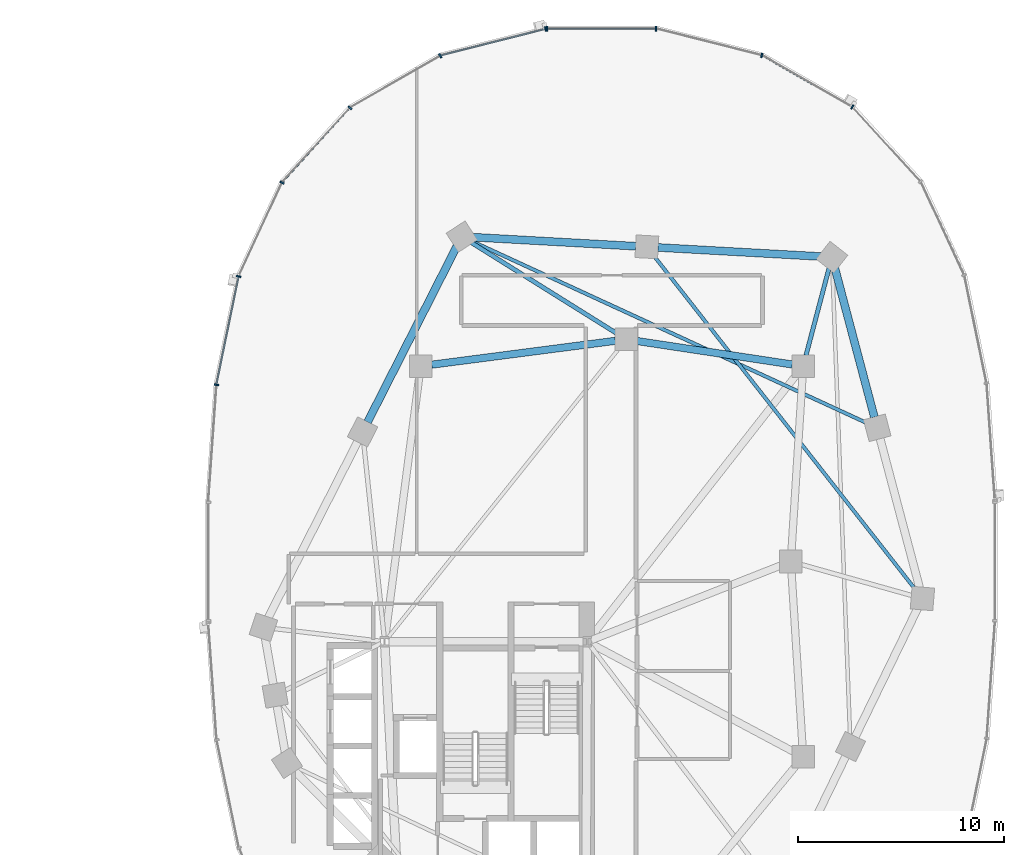
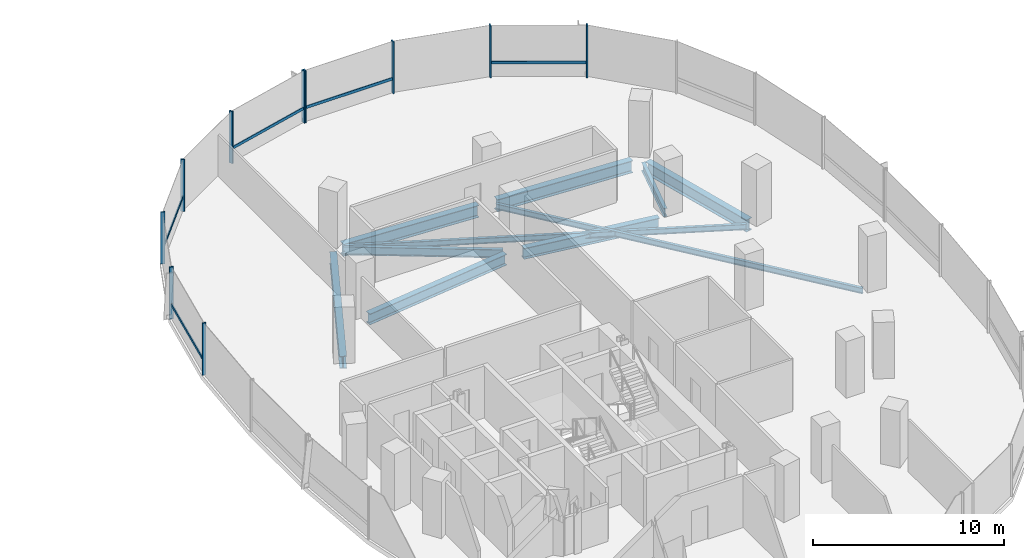
# One storey, part 7 of 20: 15 members, 10 beams, 2 elements without a shape of their own.
"""IFC4 building model written with IfcOpenShell, lengths in metres."""

import ifcopenshell
import ifcopenshell.guid

model = None  # the IFC model being written
_history = None  # IfcOwnerHistory: only IFC2X3 demands one
_inside = {}  # id of a spatial element -> (the spatial element, [elements in it])
_under = {}  # id of a project, library or spatial element -> (it, [spatial elements below it])
_declared = {}  # id of a project -> (the project, [libraries it declares])
_typed = {}  # id of a type object -> (the type object, [elements of that type])
_made_of = {}  # id of a material, layer set ... -> (it, [elements and type objects made of it])


def new_model(schema):
    """Start an empty IFC model of exactly this schema.

    Asked for "IFC4X3", IfcOpenShell would pick the latest addendum, in which some entities
    have other attributes; the version numbers below select the first issue.
    IFC2X3 requires an IfcOwnerHistory on every rooted entity: one is made here for all.
    """
    global model, _history
    if schema == "IFC4X3":
        model = ifcopenshell.file(schema_version=(4, 3, 0, 0))
    else:
        model = ifcopenshell.file(schema=schema)
    _inside.clear()
    _under.clear()
    _declared.clear()
    _typed.clear()
    _made_of.clear()
    _history = None
    if model.schema == "IFC2X3":
        org = make("IfcOrganization", Name="unknown")
        user = make(
            "IfcPersonAndOrganization",
            ThePerson=make("IfcPerson", FamilyName="unknown"),
            TheOrganization=org,
        )
        app = make(
            "IfcApplication",
            ApplicationDeveloper=org,
            Version="unknown",
            ApplicationFullName="unknown",
            ApplicationIdentifier="unknown",
        )
        _history = make(
            "IfcOwnerHistory",
            OwningUser=user,
            OwningApplication=app,
            ChangeAction="ADDED",
            CreationDate=0,
        )
    return model


def make(cls, **values):
    """One entity of the class cls with the attributes given. An attribute that is None is left unset."""
    return model.create_entity(
        cls, **{name: value for name, value in values.items() if value is not None}
    )


def rooted(cls, **values):
    """An entity with a GlobalId (a new one), such as an element, a storey or a relation."""
    return make(cls, GlobalId=ifcopenshell.guid.new(), OwnerHistory=_history, **values)


def si_unit(unit_type, name, prefix=None):
    """IfcSIUnit, for example si_unit("LENGTHUNIT", "METRE", prefix="MILLI")."""
    return make("IfcSIUnit", UnitType=unit_type, Prefix=prefix, Name=name)


def assignment(units):
    """IfcUnitAssignment: the units of a project."""
    return None if units is None else make("IfcUnitAssignment", Units=units)


def point(xyz):
    """IfcCartesianPoint."""
    return None if xyz is None else make("IfcCartesianPoint", Coordinates=xyz)


def direction(xyz):
    """IfcDirection."""
    return None if xyz is None else make("IfcDirection", DirectionRatios=xyz)


def frame(location, z_axis=None, x_axis=None):
    """IfcAxis2Placement3D, a coordinate frame: its origin and axes. An axis left out is left unset."""
    return make(
        "IfcAxis2Placement3D",
        Location=point(location),
        Axis=direction(z_axis),
        RefDirection=direction(x_axis),
    )


def frame_2d(location, x_axis=None):
    """IfcAxis2Placement2D, a coordinate frame in the plane: its origin and x axis."""
    return make(
        "IfcAxis2Placement2D", Location=point(location), RefDirection=direction(x_axis)
    )


def origin():
    """The frame at (0, 0, 0) with its axes left unset."""
    return frame((0.0, 0.0, 0.0))


def origin_2d():
    """The frame at (0, 0) in the plane with its x axis left unset."""
    return frame_2d((0.0, 0.0))


def place(relative_to, where):
    """IfcLocalPlacement: puts the frame where relative to a parent placement (None: the world)."""
    return make(
        "IfcLocalPlacement", PlacementRelTo=relative_to, RelativePlacement=where
    )


def context(
    kind, dimensions, precision=None, world=None, true_north=None, identifier=None
):
    """IfcGeometricRepresentationContext, for example the 3D "Model" context."""
    return make(
        "IfcGeometricRepresentationContext",
        ContextIdentifier=identifier,
        ContextType=kind,
        CoordinateSpaceDimension=dimensions,
        Precision=precision,
        WorldCoordinateSystem=world,
        TrueNorth=true_north,
    )


def subcontext(parent, identifier, kind, view, scale=None):
    """IfcGeometricRepresentationSubContext, for example "Body" below "Model"."""
    return make(
        "IfcGeometricRepresentationSubContext",
        ContextIdentifier=identifier,
        ContextType=kind,
        ParentContext=parent,
        TargetScale=scale,
        TargetView=view,
    )


def project(units=None, contexts=None):
    """IfcProject with its units and contexts."""
    return rooted(
        "IfcProject",
        Name="project",
        RepresentationContexts=contexts,
        UnitsInContext=assignment(units),
    )


def spatial(cls, under=None, at=None, **own):
    """A site, building, storey or space (cls), placed at a placement, below another one or the project."""
    s = rooted(cls, ObjectPlacement=at, **own)
    if under is not None:
        _under.setdefault(under.id(), (under, []))[1].append(s)
    return s


def profile(cls, at=None, kind="AREA", **sizes):
    """A parametric profile (cls). Its sizes go by their IFC names, for example OverallWidth=200.0."""
    return make(cls, ProfileType=kind, Position=at, **sizes)


def rectangle(**sizes):
    """IfcRectangleProfileDef."""
    return profile("IfcRectangleProfileDef", **sizes)


def i_section(**sizes):
    """IfcIShapeProfileDef."""
    return profile("IfcIShapeProfileDef", **sizes)


def extrude(swept, where, along, depth):
    """IfcExtrudedAreaSolid: the profile swept, set in the frame where, extruded along a direction by depth."""
    return make(
        "IfcExtrudedAreaSolid",
        SweptArea=swept,
        Position=where,
        ExtrudedDirection=direction(along),
        Depth=depth,
    )


def shape(context_of_items, identifier, shape_type, items):
    """IfcShapeRepresentation: the items that make up one representation, for example the "Body"."""
    return make(
        "IfcShapeRepresentation",
        ContextOfItems=context_of_items,
        RepresentationIdentifier=identifier,
        RepresentationType=shape_type,
        Items=items,
    )


def material(Name=None, Category=None):
    """IfcMaterial."""
    return make("IfcMaterial", Name=Name, Category=Category)


def material_profile(
    of_material, cross_section, Name=None, Category=None, Priority=None
):
    """IfcMaterialProfile: a cross section and its material."""
    return make(
        "IfcMaterialProfile",
        Name=Name,
        Material=of_material,
        Profile=cross_section,
        Priority=Priority,
        Category=Category,
    )


def profile_set(profiles, Name=None, composite=None):
    """IfcMaterialProfileSet."""
    return make(
        "IfcMaterialProfileSet",
        Name=Name,
        MaterialProfiles=profiles,
        CompositeProfile=composite,
    )


def made_of(thing, what):
    """Note that an element or type object is made of a material, layer set ...; save() writes the relation."""
    if what is not None:
        _made_of.setdefault(what.id(), (what, []))[1].append(thing)
    return thing


def type_object(cls, material=None, **own):
    """A type object (cls), such as IfcWallType, which elements share."""
    return made_of(rooted(cls, **own), material)


def element(
    cls,
    number,
    at=None,
    inside=None,
    cuts=None,
    type_object=None,
    material=None,
    context=None,
    identifier="Body",
    shape_type=None,
    held_by="IfcProductDefinitionShape",
    body=None,
    shapes=None,
    **own,
):
    """One element of the class cls, such as IfcWall. Its Tag is "e" and its number.

    at: its placement. inside: the storey or other place that contains it. cuts: it is an
    opening in that element (IfcRelVoidsElement). A single representation is given by context,
    identifier, shape_type and body (its items); several are given by shapes. held_by: the class
    of the entity that holds the representations. save() writes the other relations.
    """
    e = rooted(cls, Tag="e%d" % number, ObjectPlacement=at, **own)
    if body is not None:
        shapes = [shape(context, identifier, shape_type, body)]
    if shapes is not None:
        e.Representation = make(held_by, Representations=shapes)
    if inside is not None:
        _inside.setdefault(inside.id(), (inside, []))[1].append(e)
    if cuts is not None:
        rooted(
            "IfcRelVoidsElement", RelatingBuildingElement=cuts, RelatedOpeningElement=e
        )
    if type_object is not None:
        _typed.setdefault(type_object.id(), (type_object, []))[1].append(e)
    return made_of(e, material)


def aggregate(whole, parts):
    """IfcRelAggregates: a whole, such as a stair, and the parts it consists of."""
    return rooted("IfcRelAggregates", RelatingObject=whole, RelatedObjects=parts)


def save(model, path):
    """Write the relations noted so far, then the file.

    IfcRelAggregates (storeys below a building ...), IfcRelContainedInSpatialStructure (elements
    in a storey), IfcRelDefinesByType, IfcRelAssociatesMaterial and IfcRelDeclares: one each for
    every whole, place, type object, material and project.
    """
    for whole, parts in _under.values():
        aggregate(whole, parts)
    for where, things in _inside.values():
        rooted(
            "IfcRelContainedInSpatialStructure",
            RelatedElements=things,
            RelatingStructure=where,
        )
    for kind, things in _typed.values():
        rooted("IfcRelDefinesByType", RelatedObjects=things, RelatingType=kind)
    for what, things in _made_of.values():
        rooted("IfcRelAssociatesMaterial", RelatedObjects=things, RelatingMaterial=what)
    for by, libraries in _declared.values():
        rooted("IfcRelDeclares", RelatingContext=by, RelatedDefinitions=libraries)
    model.write(path)


model = new_model("IFC4")

# Units and contexts
model_context = context("Model", 3, precision=1e-05, world=origin(), true_north=direction((0.0, 1.0)))
body_context = subcontext(model_context, "Body", "Model", "MODEL_VIEW")
ifc_project = project(units=[si_unit("LENGTHUNIT", "METRE"), si_unit("AREAUNIT", "SQUARE_METRE"), si_unit("VOLUMEUNIT", "CUBIC_METRE"), si_unit("PLANEANGLEUNIT", "RADIAN"), si_unit("MASSUNIT", "GRAM", prefix="KILO"), si_unit("THERMODYNAMICTEMPERATUREUNIT", "KELVIN"), si_unit("POWERUNIT", "WATT")], contexts=[model_context])

# Site, building, storey
site_placement = place(None, origin())
site = spatial("IfcSite", under=ifc_project, at=site_placement, CompositionType="ELEMENT")
building_placement = place(site_placement, origin())
building = spatial("IfcBuilding", under=site, at=building_placement, Name="Cundina Bronze Exchange", CompositionType="ELEMENT")
storey_placement = place(building_placement, frame((0.0, 0.0, 128.60009765625)))
storey = spatial("IfcBuildingStorey", under=building, at=storey_placement, Name="L33", CompositionType="ELEMENT", Elevation=128.60009765625)

# Beams
ifc_material_1 = material(Name="Steel ASTM A992 Grade 50", Category="steel")
ifc_material_profile_1 = material_profile(ifc_material_1, i_section(OverallWidth=0.2099609375, OverallDepth=0.532958984375, WebThickness=0.01025390625, FlangeThickness=0.015625, FilletRadius=0.013916015625, at=origin_2d()), Name="W21X62", Category="steel")
ifc_profile_set_1 = profile_set([ifc_material_profile_1], Name="Steel ASTM A992 Grade 50")
beam_type_1 = type_object("IfcBeamType", Name="BM-FLR-W21B", PredefinedType="BEAM", material=ifc_profile_set_1)
beam_1_placement = place(storey_placement, frame((41.9375, 10.020263671875, -0.566650390625), z_axis=(0.255357891402, 0.966846599673, 0.0), x_axis=(-0.966846599673, 0.255357891402, 0.0)))
element("IfcBeam", 1, at=beam_1_placement, inside=storey, type_object=beam_type_1, Name="L33 Leg E Chordal Floor Beam 10", PredefinedType="BEAM", context=body_context, shape_type="SweptSolid", body=[
    extrude(i_section(OverallWidth=0.2099609375, OverallDepth=0.532958984375, WebThickness=0.01025390625, FlangeThickness=0.015625, FilletRadius=0.013916015625, at=origin_2d()), origin(), (0.0, 0.0, 1.0), 4.405517578125),
])
beam_2_placement = place(storey_placement, frame((32.743896484375, 11.085205078125, -0.566650390625), z_axis=(-0.848003227047, 0.529991063055, 0.0), x_axis=(-0.529991063055, -0.848003227047, 0.0)))
element("IfcBeam", 2, at=beam_2_placement, inside=storey, type_object=beam_type_1, Name="L33 Leg E Chordal Floor Beam 12", PredefinedType="BEAM", context=body_context, shape_type="SweptSolid", body=[
    extrude(i_section(OverallWidth=0.2099609375, OverallDepth=0.532958984375, WebThickness=0.01025390625, FlangeThickness=0.015625, FilletRadius=0.013916015625, at=origin_2d()), origin(), (0.0, 0.0, 1.0), 8.358154296875),
])
ifc_material_profile_2 = material_profile(ifc_material_1, i_section(OverallWidth=0.172119140625, OverallDepth=0.35791015625, WebThickness=0.0078125, FlangeThickness=0.01318359375, FilletRadius=0.010009765625, at=origin_2d()), Name="W14X38", Category="steel")
ifc_profile_set_2 = profile_set([ifc_material_profile_2], Name="Steel ASTM A992 Grade 50")
beam_type_2 = type_object("IfcBeamType", Name="BM-JST-W14", PredefinedType="JOIST", material=ifc_profile_set_2)
beam_3_placement = place(storey_placement, frame((47.268310546875, -1.37646484375, -0.47900390625), z_axis=(-0.616815348306, 0.787107887201, 0.0), x_axis=(-0.787107887201, -0.616815348306, 0.0)))
element("IfcBeam", 3, at=beam_3_placement, inside=storey, type_object=beam_type_2, Name="L33 Leg E Lobe Floor Joist 08-11", PredefinedType="JOIST", context=body_context, shape_type="SweptSolid", body=[
    extrude(i_section(OverallWidth=0.172119140625, OverallDepth=0.35791015625, WebThickness=0.0078125, FlangeThickness=0.01318359375, FilletRadius=0.010009765625, at=origin_2d()), origin(), (0.0, 0.0, 1.0), 20.64892578125),
])
beam_4_placement = place(storey_placement, frame((44.911376953125, 6.72509765625, -0.47900390625), z_axis=(-0.908357076874, 0.41819543385, 0.0), x_axis=(-0.41819543385, -0.908357076874, 0.0)))
element("IfcBeam", 4, at=beam_4_placement, inside=storey, type_object=beam_type_2, Name="L33 Leg E Lobe Floor Joist 09-12", PredefinedType="JOIST", context=body_context, shape_type="SweptSolid", body=[
    extrude(i_section(OverallWidth=0.172119140625, OverallDepth=0.35791015625, WebThickness=0.0078125, FlangeThickness=0.01318359375, FilletRadius=0.010009765625, at=origin_2d()), origin(), (0.0, 0.0, 1.0), 21.162109375),
])
ifc_material_profile_3 = material_profile(ifc_material_1, i_section(OverallWidth=0.35498046875, OverallDepth=0.695068359375, WebThickness=0.015380859375, FlangeThickness=0.02490234375, FilletRadius=0.01806640625, at=origin_2d()), Name="W27X146", Category="steel")
ifc_profile_set_3 = profile_set([ifc_material_profile_3], Name="Steel ASTM A992 Grade 50")
beam_type_3 = type_object("IfcBeamType", Name="BM-RING-W27", PredefinedType="USERDEFINED", material=ifc_profile_set_3)
beam_5_placement = place(storey_placement, frame((41.26806640625, 9.580322265625, -0.647705078125), z_axis=(-0.988767489563, 0.149461873341, 0.0), x_axis=(-0.149461873341, -0.988767489563, 0.0)))
element("IfcBeam", 5, at=beam_5_placement, inside=storey, type_object=beam_type_3, Name="L33 E Inner Structural Ring Girder 05", ObjectType="GIRDER", PredefinedType="USERDEFINED", context=body_context, shape_type="SweptSolid", body=[
    extrude(i_section(OverallWidth=0.35498046875, OverallDepth=0.695068359375, WebThickness=0.015380859375, FlangeThickness=0.02490234375, FilletRadius=0.01806640625, at=origin_2d()), origin(), (0.0, 0.0, 1.0), 7.621826171875),
])
beam_6_placement = place(storey_placement, frame((32.66650390625, 10.730712890625, -0.647705078125), z_axis=(-0.991654577907, -0.128923225666, 0.0), x_axis=(0.128923225666, -0.991654577907, 0.0)))
element("IfcBeam", 6, at=beam_6_placement, inside=storey, type_object=beam_type_3, Name="L33 E Inner Structural Ring Girder 06", ObjectType="GIRDER", PredefinedType="USERDEFINED", context=body_context, shape_type="SweptSolid", body=[
    extrude(i_section(OverallWidth=0.35498046875, OverallDepth=0.695068359375, WebThickness=0.015380859375, FlangeThickness=0.02490234375, FilletRadius=0.01806640625, at=origin_2d()), origin(), (0.0, 0.0, 1.0), 9.00830078125),
])
ifc_material_profile_4 = material_profile(ifc_material_1, i_section(OverallWidth=0.381103515625, OverallDepth=0.77294921875, WebThickness=0.0166015625, FlangeThickness=0.027099609375, FilletRadius=0.01904296875, at=origin_2d()), Name="W30X173", Category="steel")
ifc_profile_set_4 = profile_set([ifc_material_profile_4], Name="Steel ASTM A992 Grade 50")
beam_type_4 = type_object("IfcBeamType", Name="BM-RING-W30", PredefinedType="USERDEFINED", material=ifc_profile_set_4)
beam_7_placement = place(storey_placement, frame((45.26220703125, 7.02001953125, -0.6865234375), z_axis=(-0.256209719931, 0.966621218168, 0.0), x_axis=(-0.966621218168, -0.256209719931, 0.0)))
element("IfcBeam", 7, at=beam_7_placement, inside=storey, type_object=beam_type_4, Name="L33 E Perimeter Ring Girder 09", ObjectType="GIRDER", PredefinedType="USERDEFINED", context=body_context, shape_type="SweptSolid", body=[
    extrude(i_section(OverallWidth=0.381103515625, OverallDepth=0.77294921875, WebThickness=0.0166015625, FlangeThickness=0.027099609375, FilletRadius=0.01904296875, at=origin_2d()), origin(), (0.0, 0.0, 1.0), 7.5107421875),
])
for number, where, z_axis, x_axis, name in (
    (8, (42.662841796875, 14.829833984375, -0.6865234375), (-0.99845950136, 0.055485350721, 0.0), (-0.055485350721, -0.99845950136, 0.0), "L33 E Perimeter Ring Girder 10"),
    (9, (33.662841796875, 15.329833984375, -0.6865234375), (-0.99845950136, 0.055485350721, 0.0), (-0.055485350721, -0.99845950136, 0.0), "L33 E Perimeter Ring Girder 11"),
):
    element("IfcBeam", number, at=place(storey_placement, frame(where, z_axis=z_axis, x_axis=x_axis)), inside=storey, type_object=beam_type_4, Name=name, ObjectType="GIRDER", PredefinedType="USERDEFINED", context=body_context, shape_type="SweptSolid", body=[
        extrude(i_section(OverallWidth=0.381103515625, OverallDepth=0.77294921875, WebThickness=0.0166015625, FlangeThickness=0.027099609375, FilletRadius=0.01904296875, at=origin_2d()), origin(), (0.0, 0.0, 1.0), 7.937744140625),
    ])
beam_8_placement = place(storey_placement, frame((24.956298828125, 15.3203125, -0.6865234375), z_axis=(-0.452832332744, -0.891595692241, 0.0), x_axis=(0.891595692241, -0.452832332744, 0.0)))
element("IfcBeam", 10, at=beam_8_placement, inside=storey, type_object=beam_type_4, Name="L33 E Perimeter Ring Girder 12", ObjectType="GIRDER", PredefinedType="USERDEFINED", context=body_context, shape_type="SweptSolid", body=[
    extrude(i_section(OverallWidth=0.381103515625, OverallDepth=0.77294921875, WebThickness=0.0166015625, FlangeThickness=0.027099609375, FilletRadius=0.01904296875, at=origin_2d()), origin(), (0.0, 0.0, 1.0), 9.578857421875),
])

# Curtain wall, members
ifc_material_2 = material(Name="Anodised Bronze Aluminium 6063-T6", Category="aluminium")
curtain_wall_type = type_object("IfcCurtainWallType", Name="CWS-TRD-MID", PredefinedType="NOTDEFINED", material=ifc_material_2)
curtain_wall_1_placement = place(storey_placement, origin())
curtain_wall_1 = element("IfcCurtainWall", 11, at=curtain_wall_1_placement, inside=storey, type_object=curtain_wall_type, Name="L33 CW-03 Curtain Wall Run CWR-L33-E1", PredefinedType="NOTDEFINED")
ifc_material_profile_5 = material_profile(ifc_material_2, rectangle(XDim=0.074951171875, YDim=0.219970703125, at=origin_2d()), Name="AL75X220", Category="aluminium")
ifc_profile_set_5 = profile_set([ifc_material_profile_5], Name="Anodised Bronze Aluminium 6063-T6")
member_type_1 = type_object("IfcMemberType", Name="CWM-MUL-220", PredefinedType="MULLION", material=ifc_profile_set_5)
member_1_placement = place(storey_placement, frame((44.189697265625, 22.097412109375, 0.0), z_axis=(0.0, 0.0, 1.0), x_axis=(-0.867070701164, 0.498185105339, 0.0)))
member_1 = element("IfcMember", 12, at=member_1_placement, type_object=member_type_1, Name="CW-03 Mullion 5", PredefinedType="MULLION", context=body_context, shape_type="SweptSolid", body=[
    extrude(rectangle(XDim=0.074951171875, YDim=0.219970703125, at=origin_2d()), origin(), (0.0, 0.0, 1.0), 3.31982421875),
])
member_2_placement = place(storey_placement, frame((39.78515625, 24.61669921875, 0.0), z_axis=(0.0, 0.0, 1.0), x_axis=(-0.969488149345, 0.245138182011, 0.0)))
member_2 = element("IfcMember", 13, at=member_2_placement, type_object=member_type_1, Name="CW-03 Mullion 6", PredefinedType="MULLION", context=body_context, shape_type="SweptSolid", body=[
    extrude(rectangle(XDim=0.074951171875, YDim=0.219970703125, at=origin_2d()), origin(), (0.0, 0.0, 1.0), 3.31982421875),
])
member_3_placement = place(storey_placement, frame((34.654541015625, 25.905029296875, 0.0), z_axis=(0.0, 0.0, 1.0), x_axis=(-1.0, 0.0, 0.0)))
member_3 = element("IfcMember", 14, at=member_3_placement, type_object=member_type_1, Name="CW-03 Mullion 7", PredefinedType="MULLION", context=body_context, shape_type="SweptSolid", body=[
    extrude(rectangle(XDim=0.074951171875, YDim=0.219970703125, at=origin_2d()), origin(), (0.0, 0.0, 1.0), 3.31982421875),
])
member_4_placement = place(storey_placement, frame((29.345458984375, 25.905029296875, 0.0), z_axis=(0.0, 0.0, 1.0), x_axis=(-1.0, 0.0, 0.0)))
member_4 = element("IfcMember", 15, at=member_4_placement, type_object=member_type_1, Name="CW-03 End Mullion", PredefinedType="MULLION", context=body_context, shape_type="SweptSolid", body=[
    extrude(rectangle(XDim=0.074951171875, YDim=0.219970703125, at=origin_2d()), origin(), (0.0, 0.0, 1.0), 3.31982421875),
])

curtain_wall_2_placement = place(storey_placement, origin())
curtain_wall_2 = element("IfcCurtainWall", 16, at=curtain_wall_2_placement, inside=storey, type_object=curtain_wall_type, Name="L33 CW-03 Curtain Wall Run CWR-L33-E2", PredefinedType="NOTDEFINED")
member_5_placement = place(storey_placement, frame((29.27392578125, 25.89599609375, 0.0), z_axis=(0.0, 0.0, 1.0), x_axis=(-0.969488149345, -0.245138182011, 0.0)))
member_5 = element("IfcMember", 17, at=member_5_placement, type_object=member_type_1, Name="CW-03 Mullion 1", PredefinedType="MULLION", context=body_context, shape_type="SweptSolid", body=[
    extrude(rectangle(XDim=0.074951171875, YDim=0.219970703125, at=origin_2d()), origin(), (0.0, 0.0, 1.0), 3.31982421875),
])
member_6_placement = place(storey_placement, frame((24.151123046875, 24.591064453125, 0.0), z_axis=(0.0, 0.0, 1.0), x_axis=(-0.867070701164, -0.498185105339, 0.0)))
member_6 = element("IfcMember", 18, at=member_6_placement, type_object=member_type_1, Name="CW-03 Mullion 2", PredefinedType="MULLION", context=body_context, shape_type="SweptSolid", body=[
    extrude(rectangle(XDim=0.074951171875, YDim=0.219970703125, at=origin_2d()), origin(), (0.0, 0.0, 1.0), 3.31982421875),
])
member_7_placement = place(storey_placement, frame((19.760498046875, 22.0576171875, 0.0), z_axis=(0.0, 0.0, 1.0), x_axis=(-0.674302387584, -0.738455340626, 0.0)))
member_7 = element("IfcMember", 19, at=member_7_placement, type_object=member_type_1, Name="CW-03 Mullion 3", PredefinedType="MULLION", context=body_context, shape_type="SweptSolid", body=[
    extrude(rectangle(XDim=0.074951171875, YDim=0.219970703125, at=origin_2d()), origin(), (0.0, 0.0, 1.0), 3.31982421875),
])
member_8_placement = place(storey_placement, frame((16.455810546875, 18.423583984375, 0.0), z_axis=(0.0, 0.0, 1.0), x_axis=(-0.42087749791, -0.907117485088, 0.0)))
member_8 = element("IfcMember", 20, at=member_8_placement, type_object=member_type_1, Name="CW-03 Mullion 4", PredefinedType="MULLION", context=body_context, shape_type="SweptSolid", body=[
    extrude(rectangle(XDim=0.074951171875, YDim=0.219970703125, at=origin_2d()), origin(), (0.0, 0.0, 1.0), 3.31982421875),
])
member_9_placement = place(storey_placement, frame((14.348876953125, 13.861328125, 0.0), z_axis=(0.0, 0.0, 1.0), x_axis=(-0.201419845156, -0.979505000486, 0.0)))
member_9 = element("IfcMember", 21, at=member_9_placement, type_object=member_type_1, Name="CW-03 Mullion 5", PredefinedType="MULLION", context=body_context, shape_type="SweptSolid", body=[
    extrude(rectangle(XDim=0.074951171875, YDim=0.219970703125, at=origin_2d()), origin(), (0.0, 0.0, 1.0), 3.31982421875),
])
member_10_placement = place(storey_placement, frame((13.27099609375, 8.591552734375, 0.0), z_axis=(0.0, 0.0, 1.0), x_axis=(-0.070278787473, -0.997527389113, 0.0)))
member_10 = element("IfcMember", 22, at=member_10_placement, type_object=member_type_1, Name="CW-03 Mullion 6", PredefinedType="MULLION", context=body_context, shape_type="SweptSolid", body=[
    extrude(rectangle(XDim=0.074951171875, YDim=0.219970703125, at=origin_2d()), origin(), (0.0, 0.0, 1.0), 3.31982421875),
])

# Member
ifc_material_profile_6 = material_profile(ifc_material_2, rectangle(XDim=0.070068359375, YDim=0.179931640625, at=origin_2d()), Name="AL70X180", Category="aluminium")
ifc_profile_set_6 = profile_set([ifc_material_profile_6], Name="Anodised Bronze Aluminium 6063-T6")
member_type_2 = type_object("IfcMemberType", Name="CWM-TRN-180", PredefinedType="USERDEFINED", material=ifc_profile_set_6)
member_11_placement = place(storey_placement, frame((44.154052734375, 22.117919921875, 0.919921875), z_axis=(-0.867097475651, 0.498138502546, 0.0), x_axis=(-0.498138502546, -0.867097475651, 0.0)))
member_11 = element("IfcMember", 23, at=member_11_placement, type_object=member_type_2, Name="CW-03 Spandrel Transom 5", ObjectType="TRANSOM", PredefinedType="USERDEFINED", context=body_context, shape_type="SweptSolid", body=[
    extrude(rectangle(XDim=0.070068359375, YDim=0.179931640625, at=origin_2d()), origin(), (0.0, 0.0, 1.0), 5.00634765625),
])

member_12_placement = place(storey_placement, frame((34.61328125, 25.905029296875, 0.919921875), z_axis=(-1.0, 0.0, 0.0), x_axis=(0.0, -1.0, 0.0)))
member_12 = element("IfcMember", 24, at=member_12_placement, type_object=member_type_2, Name="CW-03 Spandrel Transom 7", ObjectType="TRANSOM", PredefinedType="USERDEFINED", context=body_context, shape_type="SweptSolid", body=[
    extrude(rectangle(XDim=0.070068359375, YDim=0.179931640625, at=origin_2d()), origin(), (0.0, 0.0, 1.0), 5.2265625),
])

aggregate(curtain_wall_1, [member_1, member_11, member_2, member_3, member_4, member_12])

member_13_placement = place(storey_placement, frame((29.23388671875, 25.885986328125, 0.919921875), z_axis=(-0.969483968866, -0.245154714644, 0.0), x_axis=(0.245154714644, -0.969483968866, 0.0)))
member_13 = element("IfcMember", 25, at=member_13_placement, type_object=member_type_2, Name="CW-03 Spandrel Transom 1", ObjectType="TRANSOM", PredefinedType="USERDEFINED", context=body_context, shape_type="SweptSolid", body=[
    extrude(rectangle(XDim=0.070068359375, YDim=0.179931640625, at=origin_2d()), origin(), (0.0, 0.0, 1.0), 5.21826171875),
])

member_14_placement = place(storey_placement, frame((19.73291015625, 22.027099609375, 0.919921875), z_axis=(-0.674302794847, -0.738454968743, 0.0), x_axis=(0.738454968743, -0.674302794847, 0.0)))
member_14 = element("IfcMember", 26, at=member_14_placement, type_object=member_type_2, Name="CW-03 Spandrel Transom 3", ObjectType="TRANSOM", PredefinedType="USERDEFINED", context=body_context, shape_type="SweptSolid", body=[
    extrude(rectangle(XDim=0.070068359375, YDim=0.179931640625, at=origin_2d()), origin(), (0.0, 0.0, 1.0), 4.848388671875),
])

member_15_placement = place(storey_placement, frame((14.340576171875, 13.821044921875, 0.919921875), z_axis=(-0.201427712708, -0.979503382615, 0.0), x_axis=(0.979503382615, -0.201427712708, 0.0)))
member_15 = element("IfcMember", 27, at=member_15_placement, type_object=member_type_2, Name="CW-03 Spandrel Transom 5", ObjectType="TRANSOM", PredefinedType="USERDEFINED", context=body_context, shape_type="SweptSolid", body=[
    extrude(rectangle(XDim=0.070068359375, YDim=0.179931640625, at=origin_2d()), origin(), (0.0, 0.0, 1.0), 5.291748046875),
])

aggregate(curtain_wall_2, [member_5, member_13, member_6, member_7, member_14, member_8, member_9, member_15, member_10])

save(model, "model.ifc")
